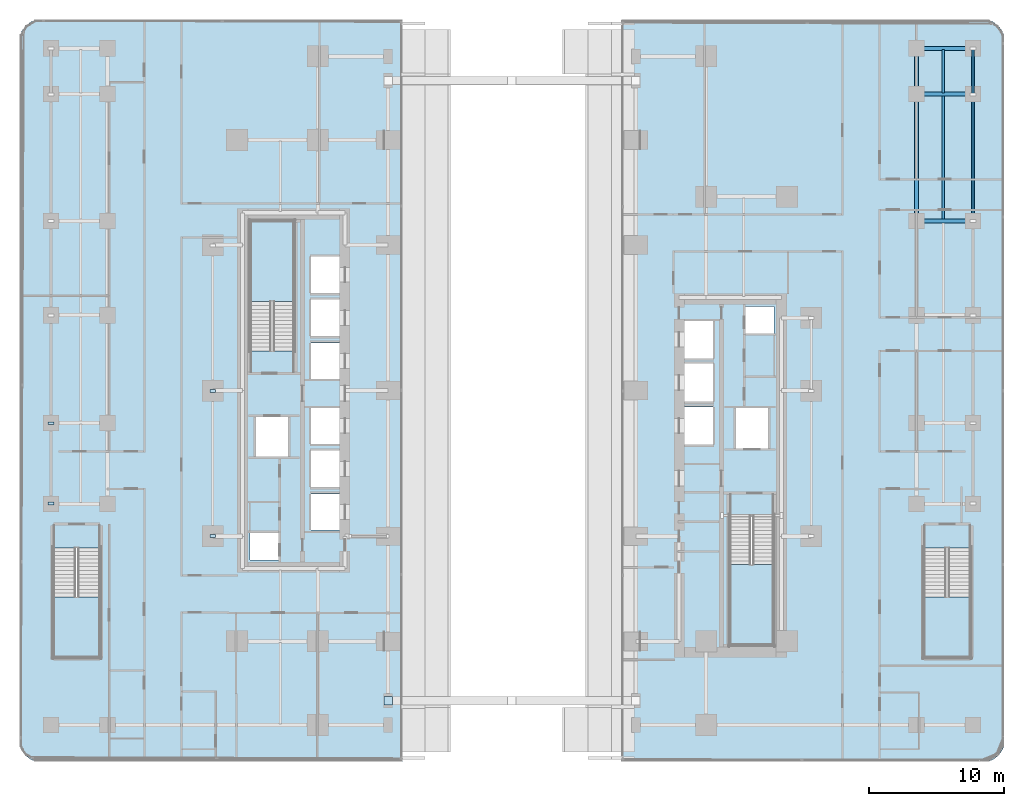
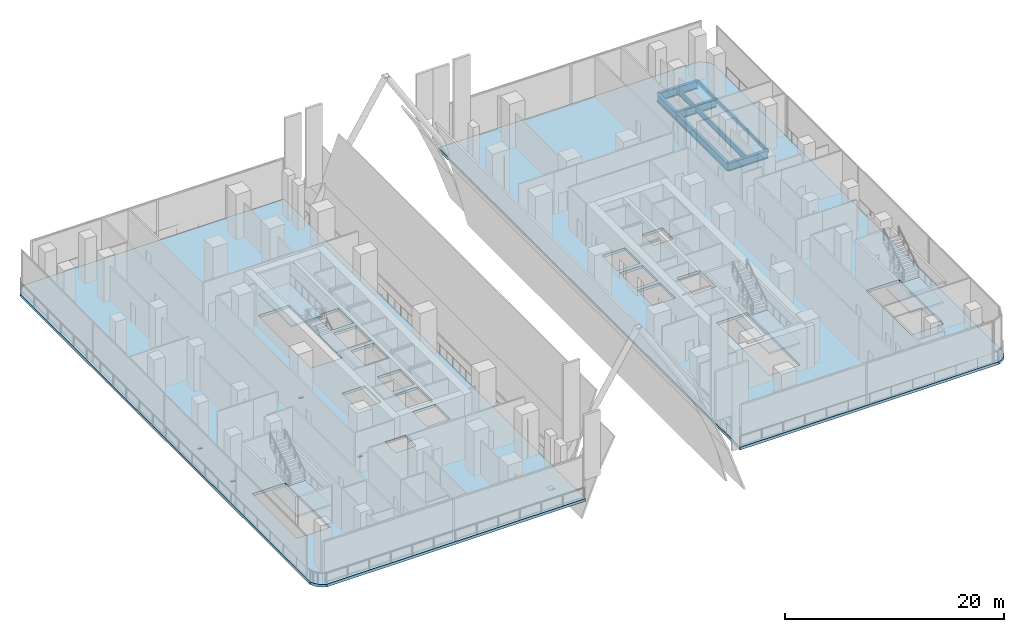
# One storey, part 3 of 31: 9 beams, 6 slabs, 5 plates, 4 elements without a shape of their own.
"""IFC4 building model written with IfcOpenShell, lengths in metres."""

import ifcopenshell
import ifcopenshell.guid

model = None  # the IFC model being written
_history = None  # IfcOwnerHistory: only IFC2X3 demands one
_inside = {}  # id of a spatial element -> (the spatial element, [elements in it])
_under = {}  # id of a project, library or spatial element -> (it, [spatial elements below it])
_declared = {}  # id of a project -> (the project, [libraries it declares])
_typed = {}  # id of a type object -> (the type object, [elements of that type])
_made_of = {}  # id of a material, layer set ... -> (it, [elements and type objects made of it])


def new_model(schema):
    """Start an empty IFC model of exactly this schema.

    Asked for "IFC4X3", IfcOpenShell would pick the latest addendum, in which some entities
    have other attributes; the version numbers below select the first issue.
    IFC2X3 requires an IfcOwnerHistory on every rooted entity: one is made here for all.
    """
    global model, _history
    if schema == "IFC4X3":
        model = ifcopenshell.file(schema_version=(4, 3, 0, 0))
    else:
        model = ifcopenshell.file(schema=schema)
    _inside.clear()
    _under.clear()
    _declared.clear()
    _typed.clear()
    _made_of.clear()
    _history = None
    if model.schema == "IFC2X3":
        org = make("IfcOrganization", Name="unknown")
        user = make(
            "IfcPersonAndOrganization",
            ThePerson=make("IfcPerson", FamilyName="unknown"),
            TheOrganization=org,
        )
        app = make(
            "IfcApplication",
            ApplicationDeveloper=org,
            Version="unknown",
            ApplicationFullName="unknown",
            ApplicationIdentifier="unknown",
        )
        _history = make(
            "IfcOwnerHistory",
            OwningUser=user,
            OwningApplication=app,
            ChangeAction="ADDED",
            CreationDate=0,
        )
    return model


def make(cls, **values):
    """One entity of the class cls with the attributes given. An attribute that is None is left unset."""
    return model.create_entity(
        cls, **{name: value for name, value in values.items() if value is not None}
    )


def rooted(cls, **values):
    """An entity with a GlobalId (a new one), such as an element, a storey or a relation."""
    return make(cls, GlobalId=ifcopenshell.guid.new(), OwnerHistory=_history, **values)


def si_unit(unit_type, name, prefix=None):
    """IfcSIUnit, for example si_unit("LENGTHUNIT", "METRE", prefix="MILLI")."""
    return make("IfcSIUnit", UnitType=unit_type, Prefix=prefix, Name=name)


def assignment(units):
    """IfcUnitAssignment: the units of a project."""
    return None if units is None else make("IfcUnitAssignment", Units=units)


def point(xyz):
    """IfcCartesianPoint."""
    return None if xyz is None else make("IfcCartesianPoint", Coordinates=xyz)


def direction(xyz):
    """IfcDirection."""
    return None if xyz is None else make("IfcDirection", DirectionRatios=xyz)


def frame(location, z_axis=None, x_axis=None):
    """IfcAxis2Placement3D, a coordinate frame: its origin and axes. An axis left out is left unset."""
    return make(
        "IfcAxis2Placement3D",
        Location=point(location),
        Axis=direction(z_axis),
        RefDirection=direction(x_axis),
    )


def frame_2d(location, x_axis=None):
    """IfcAxis2Placement2D, a coordinate frame in the plane: its origin and x axis."""
    return make(
        "IfcAxis2Placement2D", Location=point(location), RefDirection=direction(x_axis)
    )


def origin():
    """The frame at (0, 0, 0) with its axes left unset."""
    return frame((0.0, 0.0, 0.0))


def origin_2d():
    """The frame at (0, 0) in the plane with its x axis left unset."""
    return frame_2d((0.0, 0.0))


def place(relative_to, where):
    """IfcLocalPlacement: puts the frame where relative to a parent placement (None: the world)."""
    return make(
        "IfcLocalPlacement", PlacementRelTo=relative_to, RelativePlacement=where
    )


def context(
    kind, dimensions, precision=None, world=None, true_north=None, identifier=None
):
    """IfcGeometricRepresentationContext, for example the 3D "Model" context."""
    return make(
        "IfcGeometricRepresentationContext",
        ContextIdentifier=identifier,
        ContextType=kind,
        CoordinateSpaceDimension=dimensions,
        Precision=precision,
        WorldCoordinateSystem=world,
        TrueNorth=true_north,
    )


def subcontext(parent, identifier, kind, view, scale=None):
    """IfcGeometricRepresentationSubContext, for example "Body" below "Model"."""
    return make(
        "IfcGeometricRepresentationSubContext",
        ContextIdentifier=identifier,
        ContextType=kind,
        ParentContext=parent,
        TargetScale=scale,
        TargetView=view,
    )


def project(units=None, contexts=None):
    """IfcProject with its units and contexts."""
    return rooted(
        "IfcProject",
        Name="project",
        RepresentationContexts=contexts,
        UnitsInContext=assignment(units),
    )


def spatial(cls, under=None, at=None, **own):
    """A site, building, storey or space (cls), placed at a placement, below another one or the project."""
    s = rooted(cls, ObjectPlacement=at, **own)
    if under is not None:
        _under.setdefault(under.id(), (under, []))[1].append(s)
    return s


def polyline(points):
    """IfcPolyline through the points."""
    return make("IfcPolyline", Points=[point(p) for p in points])


def profile(cls, at=None, kind="AREA", **sizes):
    """A parametric profile (cls). Its sizes go by their IFC names, for example OverallWidth=200.0."""
    return make(cls, ProfileType=kind, Position=at, **sizes)


def rectangle(**sizes):
    """IfcRectangleProfileDef."""
    return profile("IfcRectangleProfileDef", **sizes)


def hollow_rectangle(**sizes):
    """IfcRectangleHollowProfileDef."""
    return profile("IfcRectangleHollowProfileDef", **sizes)


def i_section(**sizes):
    """IfcIShapeProfileDef."""
    return profile("IfcIShapeProfileDef", **sizes)


def outline(outer, holes=None, kind="AREA"):
    """IfcArbitraryClosedProfileDef: a profile drawn as a closed curve; with holes, ...WithVoids."""
    if holes is None:
        return make("IfcArbitraryClosedProfileDef", ProfileType=kind, OuterCurve=outer)
    return make(
        "IfcArbitraryProfileDefWithVoids",
        ProfileType=kind,
        OuterCurve=outer,
        InnerCurves=holes,
    )


def extrude(swept, where, along, depth):
    """IfcExtrudedAreaSolid: the profile swept, set in the frame where, extruded along a direction by depth."""
    return make(
        "IfcExtrudedAreaSolid",
        SweptArea=swept,
        Position=where,
        ExtrudedDirection=direction(along),
        Depth=depth,
    )


def shape(context_of_items, identifier, shape_type, items):
    """IfcShapeRepresentation: the items that make up one representation, for example the "Body"."""
    return make(
        "IfcShapeRepresentation",
        ContextOfItems=context_of_items,
        RepresentationIdentifier=identifier,
        RepresentationType=shape_type,
        Items=items,
    )


def material(Name=None, Category=None):
    """IfcMaterial."""
    return make("IfcMaterial", Name=Name, Category=Category)


def layer(
    of_material, thickness, ventilated=None, Name=None, Category=None, Priority=None
):
    """IfcMaterialLayer: one layer of a wall or slab, of a material (None: an air gap)."""
    return make(
        "IfcMaterialLayer",
        Material=of_material,
        LayerThickness=thickness,
        IsVentilated=ventilated,
        Name=Name,
        Category=Category,
        Priority=Priority,
    )


def layer_set(layers, Name=None):
    """IfcMaterialLayerSet."""
    return make("IfcMaterialLayerSet", MaterialLayers=layers, LayerSetName=Name)


def material_profile(
    of_material, cross_section, Name=None, Category=None, Priority=None
):
    """IfcMaterialProfile: a cross section and its material."""
    return make(
        "IfcMaterialProfile",
        Name=Name,
        Material=of_material,
        Profile=cross_section,
        Priority=Priority,
        Category=Category,
    )


def profile_set(profiles, Name=None, composite=None):
    """IfcMaterialProfileSet."""
    return make(
        "IfcMaterialProfileSet",
        Name=Name,
        MaterialProfiles=profiles,
        CompositeProfile=composite,
    )


def made_of(thing, what):
    """Note that an element or type object is made of a material, layer set ...; save() writes the relation."""
    if what is not None:
        _made_of.setdefault(what.id(), (what, []))[1].append(thing)
    return thing


def type_object(cls, material=None, **own):
    """A type object (cls), such as IfcWallType, which elements share."""
    return made_of(rooted(cls, **own), material)


def element(
    cls,
    number,
    at=None,
    inside=None,
    cuts=None,
    type_object=None,
    material=None,
    context=None,
    identifier="Body",
    shape_type=None,
    held_by="IfcProductDefinitionShape",
    body=None,
    shapes=None,
    **own,
):
    """One element of the class cls, such as IfcWall. Its Tag is "e" and its number.

    at: its placement. inside: the storey or other place that contains it. cuts: it is an
    opening in that element (IfcRelVoidsElement). A single representation is given by context,
    identifier, shape_type and body (its items); several are given by shapes. held_by: the class
    of the entity that holds the representations. save() writes the other relations.
    """
    e = rooted(cls, Tag="e%d" % number, ObjectPlacement=at, **own)
    if body is not None:
        shapes = [shape(context, identifier, shape_type, body)]
    if shapes is not None:
        e.Representation = make(held_by, Representations=shapes)
    if inside is not None:
        _inside.setdefault(inside.id(), (inside, []))[1].append(e)
    if cuts is not None:
        rooted(
            "IfcRelVoidsElement", RelatingBuildingElement=cuts, RelatedOpeningElement=e
        )
    if type_object is not None:
        _typed.setdefault(type_object.id(), (type_object, []))[1].append(e)
    return made_of(e, material)


def aggregate(whole, parts):
    """IfcRelAggregates: a whole, such as a stair, and the parts it consists of."""
    return rooted("IfcRelAggregates", RelatingObject=whole, RelatedObjects=parts)


def save(model, path):
    """Write the relations noted so far, then the file.

    IfcRelAggregates (storeys below a building ...), IfcRelContainedInSpatialStructure (elements
    in a storey), IfcRelDefinesByType, IfcRelAssociatesMaterial and IfcRelDeclares: one each for
    every whole, place, type object, material and project.
    """
    for whole, parts in _under.values():
        aggregate(whole, parts)
    for where, things in _inside.values():
        rooted(
            "IfcRelContainedInSpatialStructure",
            RelatedElements=things,
            RelatingStructure=where,
        )
    for kind, things in _typed.values():
        rooted("IfcRelDefinesByType", RelatedObjects=things, RelatingType=kind)
    for what, things in _made_of.values():
        rooted("IfcRelAssociatesMaterial", RelatedObjects=things, RelatingMaterial=what)
    for by, libraries in _declared.values():
        rooted("IfcRelDeclares", RelatingContext=by, RelatedDefinitions=libraries)
    model.write(path)


model = new_model("IFC4")

# Units and contexts
model_context = context("Model", 3, precision=1e-05, world=origin(), true_north=direction((0.0, 1.0)))
body_context = subcontext(model_context, "Body", "Model", "MODEL_VIEW")
ifc_project = project(units=[si_unit("LENGTHUNIT", "METRE"), si_unit("AREAUNIT", "SQUARE_METRE"), si_unit("VOLUMEUNIT", "CUBIC_METRE"), si_unit("PLANEANGLEUNIT", "RADIAN"), si_unit("MASSUNIT", "GRAM", prefix="KILO")], contexts=[model_context])

# Site, building, storey
site_placement = place(None, origin())
site = spatial("IfcSite", under=ifc_project, at=site_placement, CompositionType="ELEMENT")
building_placement = place(site_placement, origin())
building = spatial("IfcBuilding", under=site, at=building_placement, Name="Khairoan Windgate Tower", CompositionType="ELEMENT")
storey_placement = place(building_placement, frame((0.0, 0.0, 6.0)))
storey = spatial("IfcBuildingStorey", under=building, at=storey_placement, Name="L02", CompositionType="ELEMENT", Elevation=6.0)

# Beams
ifc_material_1 = material(Name="Steel S355", Category="steel")
ifc_material_profile_1 = material_profile(ifc_material_1, i_section(OverallWidth=0.300048828125, OverallDepth=0.89990234375, WebThickness=0.01611328125, FlangeThickness=0.028076171875, FilletRadius=0.028076171875, at=origin_2d()))
ifc_profile_set_1 = profile_set([ifc_material_profile_1], Name="Steel S355")
beam_type_1 = type_object("IfcBeamType", Name="Beam B-G1 H900x300x16x28", PredefinedType="BEAM", material=ifc_profile_set_1)
for number, where, z_axis, x_axis, name in (
    (1, (30.0, 12.60009765625, -0.75), (1.0, 0.0, 0.0), (0.0, 1.0, 0.0), "L02 E-W Primary Girder 31"),
    (2, (30.0, 22.0, -0.75), (1.0, 0.0, 0.0), (0.0, 1.0, 0.0), "L02 E-W Primary Girder 38"),
    (3, (30.0, 25.39990234375, -0.75), (1.0, 0.0, 0.0), (0.0, 1.0, 0.0), "L02 E-W Primary Girder 42"),
):
    element("IfcBeam", number, at=place(storey_placement, frame(where, z_axis=z_axis, x_axis=x_axis)), inside=storey, type_object=beam_type_1, Name=name, PredefinedType="BEAM", context=body_context, shape_type="SweptSolid", body=[
        extrude(i_section(OverallWidth=0.300048828125, OverallDepth=0.89990234375, WebThickness=0.01611328125, FlangeThickness=0.028076171875, FilletRadius=0.028076171875, at=origin_2d()), origin(), (0.0, 0.0, 1.0), 4.199951171875),
    ])
beam_1_placement = place(storey_placement, frame((30.0, 12.60009765625, -0.75), z_axis=(0.0, 1.0, 0.0), x_axis=(-1.0, 0.0, 0.0)))
element("IfcBeam", 4, at=beam_1_placement, inside=storey, type_object=beam_type_1, Name="L02 N-S Primary Beam 89", PredefinedType="BEAM", context=body_context, shape_type="SweptSolid", body=[
    extrude(i_section(OverallWidth=0.300048828125, OverallDepth=0.89990234375, WebThickness=0.01611328125, FlangeThickness=0.028076171875, FilletRadius=0.028076171875, at=origin_2d()), origin(), (0.0, 0.0, 1.0), 9.39990234375),
])
beam_2_placement = place(storey_placement, frame((30.0, 22.0, -0.75), z_axis=(0.0, 1.0, 0.0), x_axis=(-1.0, 0.0, 0.0)))
element("IfcBeam", 5, at=beam_2_placement, inside=storey, type_object=beam_type_1, Name="L02 N-S Primary Beam 90", PredefinedType="BEAM", context=body_context, shape_type="SweptSolid", body=[
    extrude(i_section(OverallWidth=0.300048828125, OverallDepth=0.89990234375, WebThickness=0.01611328125, FlangeThickness=0.028076171875, FilletRadius=0.028076171875, at=origin_2d()), origin(), (0.0, 0.0, 1.0), 3.39990234375),
])
ifc_material_2 = material(Name="Steel S355", Category="steel")
ifc_material_profile_2 = material_profile(ifc_material_2, i_section(OverallWidth=0.199951171875, OverallDepth=0.60009765625, WebThickness=0.010986328125, FlangeThickness=0.01708984375, FilletRadius=0.02197265625, at=origin_2d()))
ifc_profile_set_2 = profile_set([ifc_material_profile_2], Name="Steel S355")
beam_type_2 = type_object("IfcBeamType", Name="Beam J-S1 H600x200x11x17", PredefinedType="JOIST", material=ifc_profile_set_2)
beam_3_placement = place(storey_placement, frame((32.0, 12.68994140625, -0.60009765625), z_axis=(0.0, 1.0, 0.0), x_axis=(-1.0, 0.0, 0.0)))
element("IfcBeam", 6, at=beam_3_placement, inside=storey, type_object=beam_type_2, Name="L02 Secondary Floor Joist 13", PredefinedType="JOIST", context=body_context, shape_type="SweptSolid", body=[
    extrude(i_section(OverallWidth=0.199951171875, OverallDepth=0.60009765625, WebThickness=0.010986328125, FlangeThickness=0.01708984375, FilletRadius=0.02197265625, at=origin_2d()), origin(), (0.0, 0.0, 1.0), 9.219970703125),
])
beam_4_placement = place(storey_placement, frame((32.0, 22.090087890625, -0.60009765625), z_axis=(0.0, 1.0, 0.0), x_axis=(-1.0, 0.0, 0.0)))
element("IfcBeam", 7, at=beam_4_placement, inside=storey, type_object=beam_type_2, Name="L02 Secondary Floor Joist 14", PredefinedType="JOIST", context=body_context, shape_type="SweptSolid", body=[
    extrude(i_section(OverallWidth=0.199951171875, OverallDepth=0.60009765625, WebThickness=0.010986328125, FlangeThickness=0.01708984375, FilletRadius=0.02197265625, at=origin_2d()), origin(), (0.0, 0.0, 1.0), 3.219970703125),
])
ifc_material_3 = material(Name="Steel S355", Category="steel")
ifc_material_profile_3 = material_profile(ifc_material_3, hollow_rectangle(XDim=0.199951171875, YDim=0.39990234375, WallThickness=0.013916015625, InnerFilletRadius=0.013916015625, OuterFilletRadius=0.028076171875, at=origin_2d()))
ifc_profile_set_3 = profile_set([ifc_material_profile_3], Name="Steel S355")
beam_type_3 = type_object("IfcBeamType", Name="Beam SP-B1 RHS400x200x14", PredefinedType="SPANDREL", material=ifc_profile_set_3)
beam_5_placement = place(storey_placement, frame((34.199951171875, 12.60009765625, -0.5), z_axis=(0.0, 1.0, 0.0), x_axis=(-1.0, 0.0, 0.0)))
element("IfcBeam", 8, at=beam_5_placement, inside=storey, type_object=beam_type_3, Name="L02 Spandrel Beam 94", PredefinedType="SPANDREL", context=body_context, shape_type="SweptSolid", body=[
    extrude(hollow_rectangle(XDim=0.199951171875, YDim=0.39990234375, WallThickness=0.013916015625, InnerFilletRadius=0.013916015625, OuterFilletRadius=0.028076171875, at=origin_2d()), origin(), (0.0, 0.0, 1.0), 9.39990234375),
])
beam_6_placement = place(storey_placement, frame((34.199951171875, 22.0, -0.5), z_axis=(0.0, 1.0, 0.0), x_axis=(-1.0, 0.0, 0.0)))
element("IfcBeam", 9, at=beam_6_placement, inside=storey, type_object=beam_type_3, Name="L02 Spandrel Beam 95", PredefinedType="SPANDREL", context=body_context, shape_type="SweptSolid", body=[
    extrude(hollow_rectangle(XDim=0.199951171875, YDim=0.39990234375, WallThickness=0.013916015625, InnerFilletRadius=0.013916015625, OuterFilletRadius=0.028076171875, at=origin_2d()), origin(), (0.0, 0.0, 1.0), 3.39990234375),
])

# Plates
ifc_material_4 = material(Name="Steel S355", Category="steel")
ifc_layer_1 = layer(ifc_material_4, 0.0400390625, Name="Steel S355")
ifc_layer_set_1 = layer_set([ifc_layer_1], Name="Steel S355")
plate_type = type_object("IfcPlateType", Name="Hollow Section End-Cap Plate PL-CAP40", PredefinedType="SHEET", material=ifc_layer_set_1)
plate_placement = place(storey_placement, frame((-9.192138671875, -23.0, -1.207275390625), z_axis=(0.0, 0.0, 1.0), x_axis=(1.0, 0.0, 0.0)))
element("IfcPlate", 10, at=plate_placement, inside=storey, type_object=plate_type, Name="ARCH-RIB-S-1 steel end-cap plate 1", PredefinedType="SHEET", context=body_context, shape_type="SweptSolid", body=[
    extrude(rectangle(XDim=0.6298828125, YDim=0.6298828125, at=origin_2d()), origin(), (0.0, 0.0, 1.0), 0.0400390625),
])
for number, where, z_axis, x_axis, name in (
    (11, (-34.199951171875, -8.385009765625, -0.52001953125), (0.0, 0.0, 1.0), (0.0, 1.0, 0.0), "BM-SP-L02-043 steel end-cap plate 1"),
    (12, (-34.199951171875, -2.4150390625, -0.52001953125), (0.0, 0.0, 1.0), (0.0, 1.0, 0.0), "BM-SP-L02-043 steel end-cap plate 2"),
    (13, (-22.199951171875, -10.784912109375, -0.52001953125), (0.0, 0.0, 1.0), (0.0, 1.0, 0.0), "BM-SP-L02-053 steel end-cap plate 1"),
    (14, (-22.199951171875, -0.014892578125, -0.52001953125), (0.0, 0.0, 1.0), (0.0, 1.0, 0.0), "BM-SP-L02-053 steel end-cap plate 2"),
):
    element("IfcPlate", number, at=place(storey_placement, frame(where, z_axis=z_axis, x_axis=x_axis)), inside=storey, type_object=plate_type, Name=name, PredefinedType="SHEET", context=body_context, shape_type="SweptSolid", body=[
        extrude(rectangle(XDim=0.219970703125, YDim=0.419921875, at=origin_2d()), origin(), (0.0, 0.0, 1.0), 0.0400390625),
    ])

# Slabs
ifc_material_5 = material(Name="Concrete C40/50", Category="concrete")
ifc_layer_2 = layer(ifc_material_5, 0.300048828125, Name="Concrete C40/50")
ifc_layer_set_2 = layer_set([ifc_layer_2], Name="Concrete C40/50")
slab_type_1 = type_object("IfcSlabType", Name="Podium Floor Slab FS1 300mm", PredefinedType="FLOOR", material=ifc_layer_set_2)
slab_1_placement = place(storey_placement, frame((0.0, 0.0, -0.300048828125)))
element("IfcSlab", 15, at=slab_1_placement, inside=storey, type_object=slab_type_1, Name="L02 W Wing Structural Floor Slab", PredefinedType="FLOOR", context=body_context, shape_type="SweptSolid", body=[
    extrude(outline(polyline([(-36.35888671875, 26.699951171875), (-36.07275390625, 27.07275390625), (-35.699951171875, 27.35888671875), (-35.359375, 27.5), (-8.1201171875, 27.5), (-8.1201171875, -27.5), (-35.359375, -27.5), (-35.699951171875, -27.35888671875), (-36.07275390625, -27.07275390625), (-36.35888671875, -26.699951171875), (-36.5, -26.359375), (-36.5, 26.359375), (-36.35888671875, 26.699951171875)]), holes=[polyline([(-16.14990234375, 2.9599609375), (-16.14990234375, 12.60009765625), (-19.419921875, 12.60009765625), (-19.419921875, 2.9599609375), (-16.14990234375, 2.9599609375)]), polyline([(-34.02001953125, -11.659912109375), (-34.02001953125, -19.800048828125), (-30.550048828125, -19.800048828125), (-30.550048828125, -11.659912109375), (-34.02001953125, -11.659912109375)]), polyline([(-14.89990234375, 7.25), (-12.5, 7.25), (-12.5, 9.949951171875), (-14.89990234375, 9.949951171875), (-14.89990234375, 7.25)]), polyline([(-14.89990234375, 4.050048828125), (-12.5, 4.050048828125), (-12.5, 6.75), (-14.89990234375, 6.75), (-14.89990234375, 4.050048828125)]), polyline([(-14.89990234375, 0.85009765625), (-12.5, 0.85009765625), (-12.5, 3.550048828125), (-14.89990234375, 3.550048828125), (-14.89990234375, 0.85009765625)]), polyline([(-14.89990234375, -3.949951171875), (-12.5, -3.949951171875), (-12.5, -1.25), (-14.89990234375, -1.25), (-14.89990234375, -3.949951171875)]), polyline([(-14.89990234375, -7.14990234375), (-12.5, -7.14990234375), (-12.5, -4.449951171875), (-14.89990234375, -4.449951171875), (-14.89990234375, -7.14990234375)]), polyline([(-14.89990234375, -10.35009765625), (-12.5, -10.35009765625), (-12.5, -7.64990234375), (-14.89990234375, -7.64990234375), (-14.89990234375, -10.35009765625)]), polyline([(-19.0, -4.89990234375), (-16.60009765625, -4.89990234375), (-16.60009765625, -1.89990234375), (-19.0, -1.89990234375), (-19.0, -4.89990234375)]), polyline([(-19.449951171875, -12.550048828125), (-17.31005859375, -12.550048828125), (-17.31005859375, -10.550048828125), (-19.449951171875, -10.550048828125), (-19.449951171875, -12.550048828125)])]), origin(), (0.0, 0.0, 1.0), 0.300048828125),
])
slab_2_placement = place(storey_placement, frame((0.0, 0.0, -0.300048828125)))
element("IfcSlab", 16, at=slab_2_placement, inside=storey, type_object=slab_type_1, Name="L02 E Wing Structural Floor Slab", PredefinedType="FLOOR", context=body_context, shape_type="SweptSolid", body=[
    extrude(outline(polyline([(36.35888671875, -26.699951171875), (36.07275390625, -27.07275390625), (35.699951171875, -27.35888671875), (35.359375, -27.5), (8.1201171875, -27.5), (8.1201171875, 27.5), (35.359375, 27.5), (35.699951171875, 27.35888671875), (36.07275390625, 27.07275390625), (36.35888671875, 26.699951171875), (36.5, 26.359375), (36.5, -26.359375), (36.35888671875, -26.699951171875)]), holes=[polyline([(16.14990234375, -9.260009765625), (16.14990234375, -18.89990234375), (19.419921875, -18.89990234375), (19.419921875, -9.260009765625), (16.14990234375, -9.260009765625)]), polyline([(30.550048828125, -11.659912109375), (30.550048828125, -19.800048828125), (34.02001953125, -19.800048828125), (34.02001953125, -11.659912109375), (30.550048828125, -11.659912109375)]), polyline([(12.5, 2.39990234375), (14.89990234375, 2.39990234375), (14.89990234375, 5.199951171875), (12.5, 5.199951171875), (12.5, 2.39990234375)]), polyline([(12.5, -0.800048828125), (14.89990234375, -0.800048828125), (14.89990234375, 2.0), (12.5, 2.0), (12.5, -0.800048828125)]), polyline([(12.5, -4.0), (14.89990234375, -4.0), (14.89990234375, -1.199951171875), (12.5, -1.199951171875), (12.5, -4.0)]), polyline([(16.60009765625, -4.300048828125), (19.0, -4.300048828125), (19.0, -1.300048828125), (16.60009765625, -1.300048828125), (16.60009765625, -4.300048828125)]), polyline([(17.31005859375, 4.25), (19.449951171875, 4.25), (19.449951171875, 6.25), (17.31005859375, 6.25), (17.31005859375, 4.25)])]), origin(), (0.0, 0.0, 1.0), 0.300048828125),
])

# Stair, slab
ifc_material_6 = material(Name="Concrete C40/50", Category="concrete")
stair_type_1 = type_object("IfcStairType", Name="Tower Core Dog-Leg Stair ST-T1 1560mm", PredefinedType="HALF_TURN_STAIR", material=ifc_material_6)
stair_1_placement = place(storey_placement, origin())
stair_1 = element("IfcStair", 17, at=stair_1_placement, inside=storey, type_object=stair_type_1, Name="L02 Stair ST1", PredefinedType="HALF_TURN_STAIR")
ifc_material_7 = material(Name="Concrete C40/50", Category="concrete")
ifc_layer_3 = layer(ifc_material_7, 0.199951171875, Name="Concrete C40/50")
ifc_layer_set_3 = layer_set([ifc_layer_3], Name="Concrete C40/50")
slab_type_2 = type_object("IfcSlabType", Name="Reinforced Concrete Stair Landing Slab STL-200", PredefinedType="LANDING", material=ifc_layer_set_3)
slab_3_placement = place(storey_placement, frame((0.0, 0.0, 2.300048828125)))
slab_3 = element("IfcSlab", 18, at=slab_3_placement, type_object=slab_type_2, Name="ST1 landing 1", PredefinedType="LANDING", context=body_context, shape_type="SweptSolid", body=[
    extrude(outline(polyline([(16.14990234375, -12.89990234375), (16.14990234375, -18.89990234375), (19.419921875, -18.89990234375), (19.419921875, -12.89990234375), (16.14990234375, -12.89990234375)])), origin(), (0.0, 0.0, 1.0), 0.199951171875),
])
aggregate(stair_1, [slab_3])

stair_2_placement = place(storey_placement, origin())
stair_2 = element("IfcStair", 19, at=stair_2_placement, inside=storey, type_object=stair_type_1, Name="L02 Stair ST2", PredefinedType="HALF_TURN_STAIR")
slab_4_placement = place(storey_placement, frame((0.0, 0.0, 2.300048828125)))
slab_4 = element("IfcSlab", 20, at=slab_4_placement, type_object=slab_type_2, Name="ST2 landing 1", PredefinedType="LANDING", context=body_context, shape_type="SweptSolid", body=[
    extrude(outline(polyline([(-16.14990234375, 6.60009765625), (-16.14990234375, 12.60009765625), (-19.419921875, 12.60009765625), (-19.419921875, 6.60009765625), (-16.14990234375, 6.60009765625)])), origin(), (0.0, 0.0, 1.0), 0.199951171875),
])
aggregate(stair_2, [slab_4])

ifc_material_8 = material(Name="Concrete C40/50", Category="concrete")
stair_type_2 = type_object("IfcStairType", Name="Podium Exit Dog-Leg Stair ST-T2 1660mm", PredefinedType="HALF_TURN_STAIR", material=ifc_material_8)
stair_3_placement = place(storey_placement, origin())
stair_3 = element("IfcStair", 21, at=stair_3_placement, inside=storey, type_object=stair_type_2, Name="L02 Stair ST3", PredefinedType="HALF_TURN_STAIR")
slab_5_placement = place(storey_placement, frame((0.0, 0.0, 2.300048828125)))
slab_5 = element("IfcSlab", 22, at=slab_5_placement, type_object=slab_type_2, Name="ST3 landing 1", PredefinedType="LANDING", context=body_context, shape_type="SweptSolid", body=[
    extrude(outline(polyline([(30.550048828125, -15.300048828125), (30.550048828125, -19.800048828125), (34.02001953125, -19.800048828125), (34.02001953125, -15.300048828125), (30.550048828125, -15.300048828125)])), origin(), (0.0, 0.0, 1.0), 0.199951171875),
])
aggregate(stair_3, [slab_5])

stair_4_placement = place(storey_placement, origin())
stair_4 = element("IfcStair", 23, at=stair_4_placement, inside=storey, type_object=stair_type_2, Name="L02 Stair ST4", PredefinedType="HALF_TURN_STAIR")
slab_6_placement = place(storey_placement, frame((0.0, 0.0, 2.300048828125)))
slab_6 = element("IfcSlab", 24, at=slab_6_placement, type_object=slab_type_2, Name="ST4 landing 1", PredefinedType="LANDING", context=body_context, shape_type="SweptSolid", body=[
    extrude(outline(polyline([(-34.02001953125, -15.300048828125), (-34.02001953125, -19.800048828125), (-30.550048828125, -19.800048828125), (-30.550048828125, -15.300048828125), (-34.02001953125, -15.300048828125)])), origin(), (0.0, 0.0, 1.0), 0.199951171875),
])
aggregate(stair_4, [slab_6])

save(model, "model.ifc")
